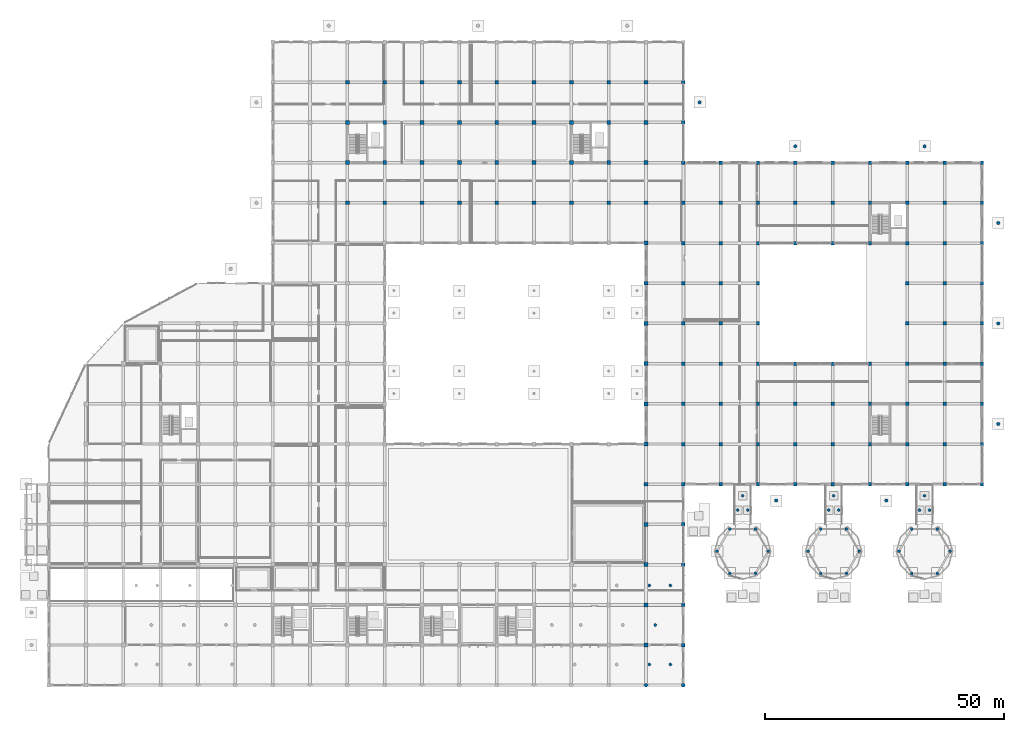
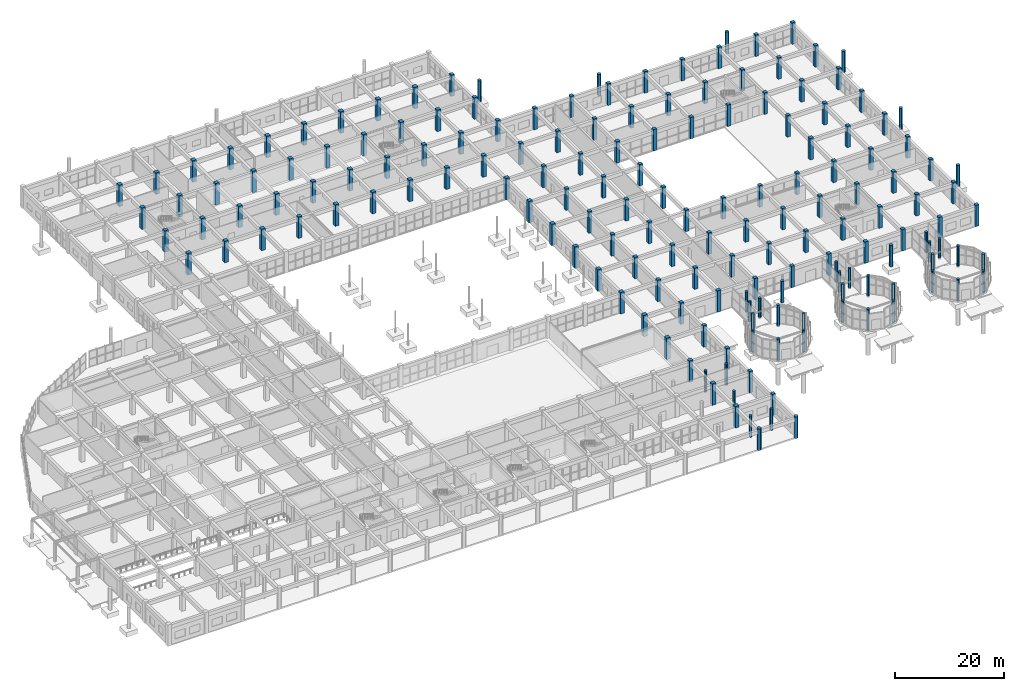
# One storey, part 9 of 139: 170 columns.
"""IFC4 building model written with IfcOpenShell, lengths in metres."""

from ifc_helpers import new_model, si_unit, direction, frame, origin, origin_2d, place, context, subcontext, project, spatial, rectangle, circle, extrude, material, material_profile, profile_set, type_object, element, save


model = new_model("IFC4")

# Units and contexts
model_context = context("Model", 3, precision=1e-05, world=origin(), true_north=direction((0.0, 1.0)))
body_context = subcontext(model_context, "Body", "Model", "MODEL_VIEW")
ifc_project = project(units=[si_unit("LENGTHUNIT", "METRE"), si_unit("AREAUNIT", "SQUARE_METRE"), si_unit("VOLUMEUNIT", "CUBIC_METRE"), si_unit("PLANEANGLEUNIT", "RADIAN"), si_unit("MASSUNIT", "GRAM", prefix="KILO")], contexts=[model_context])

# Site, building, storey
site_placement = place(None, origin())
site = spatial("IfcSite", under=ifc_project, at=site_placement, CompositionType="ELEMENT")
building_placement = place(site_placement, origin())
building = spatial("IfcBuilding", under=site, at=building_placement, Name="Zizhar Promenade General Hospital", CompositionType="ELEMENT")
storey_placement = place(building_placement, origin())
storey = spatial("IfcBuildingStorey", under=building, at=storey_placement, Name="L00", CompositionType="ELEMENT", Elevation=0.0)

# Columns
ifc_material_1 = material(Name="Concrete C40/50", Category="concrete")
ifc_material_profile_1 = material_profile(ifc_material_1, circle(Radius=0.300048828125, at=origin_2d()))
ifc_profile_set_1 = profile_set([ifc_material_profile_1], Name="Concrete C40/50")
column_type_1 = type_object("IfcColumnType", Name="COL-CIRC-600", PredefinedType="PILASTER", material=ifc_profile_set_1)
for number, where, z_axis, x_axis, name in (
    (1, (150.35009765625, 28.0, -0.300048828125), (0.0, 0.0, 1.0), (1.0, 0.0, 0.0), "PAV-1 Colonnade Column 1"),
    (2, (147.675048828125, 32.63330078125, -0.300048828125), (0.0, 0.0, 1.0), (1.0, 0.0, 0.0), "PAV-1 Colonnade Column 2"),
    (3, (142.324951171875, 32.63330078125, -0.300048828125), (0.0, 0.0, 1.0), (1.0, 0.0, 0.0), "PAV-1 Colonnade Column 3"),
    (4, (139.64990234375, 28.0, -0.300048828125), (0.0, 0.0, 1.0), (1.0, 0.0, 0.0), "PAV-1 Colonnade Column 4"),
    (5, (142.324951171875, 23.36669921875, -0.300048828125), (0.0, 0.0, 1.0), (1.0, 0.0, 0.0), "PAV-1 Colonnade Column 5"),
    (6, (147.675048828125, 23.36669921875, -0.300048828125), (0.0, 0.0, 1.0), (1.0, 0.0, 0.0), "PAV-1 Colonnade Column 6"),
):
    element("IfcColumn", number, at=place(storey_placement, frame(where, z_axis=z_axis, x_axis=x_axis)), inside=storey, type_object=column_type_1, Name=name, PredefinedType="PILASTER", context=body_context, shape_type="SweptSolid", body=[
        extrude(circle(Radius=0.300048828125, at=origin_2d()), origin(), (0.0, 0.0, 1.0), 4.840087890625),
    ])
for number, where, z_axis, x_axis, name in (
    (7, (143.949951171875, 36.60009765625, -0.300048828125), (0.0, 0.0, 1.0), (1.0, 0.0, 0.0), "PAV-1 Link Vestibule Column 1"),
    (8, (146.050048828125, 36.60009765625, -0.300048828125), (0.0, 0.0, 1.0), (1.0, 0.0, 0.0), "PAV-1 Link Vestibule Column 2"),
    (9, (145.0, 39.60009765625, -0.300048828125), (0.0, 0.0, 1.0), (1.0, 0.0, 0.0), "PAV-1 Link Vestibule Column 3"),
):
    element("IfcColumn", number, at=place(storey_placement, frame(where, z_axis=z_axis, x_axis=x_axis)), inside=storey, type_object=column_type_1, Name=name, PredefinedType="PILASTER", context=body_context, shape_type="SweptSolid", body=[
        extrude(circle(Radius=0.300048828125, at=origin_2d()), origin(), (0.0, 0.0, 1.0), 4.580078125),
    ])
for number, where, z_axis, x_axis, name in (
    (10, (169.35009765625, 28.0, -0.300048828125), (0.0, 0.0, 1.0), (1.0, 0.0, 0.0), "PAV-2 Colonnade Column 1"),
    (11, (166.675048828125, 32.63330078125, -0.300048828125), (0.0, 0.0, 1.0), (1.0, 0.0, 0.0), "PAV-2 Colonnade Column 2"),
    (12, (161.324951171875, 32.63330078125, -0.300048828125), (0.0, 0.0, 1.0), (1.0, 0.0, 0.0), "PAV-2 Colonnade Column 3"),
    (13, (158.64990234375, 28.0, -0.300048828125), (0.0, 0.0, 1.0), (1.0, 0.0, 0.0), "PAV-2 Colonnade Column 4"),
    (14, (161.324951171875, 23.36669921875, -0.300048828125), (0.0, 0.0, 1.0), (1.0, 0.0, 0.0), "PAV-2 Colonnade Column 5"),
    (15, (166.675048828125, 23.36669921875, -0.300048828125), (0.0, 0.0, 1.0), (1.0, 0.0, 0.0), "PAV-2 Colonnade Column 6"),
):
    element("IfcColumn", number, at=place(storey_placement, frame(where, z_axis=z_axis, x_axis=x_axis)), inside=storey, type_object=column_type_1, Name=name, PredefinedType="PILASTER", context=body_context, shape_type="SweptSolid", body=[
        extrude(circle(Radius=0.300048828125, at=origin_2d()), origin(), (0.0, 0.0, 1.0), 4.840087890625),
    ])
for number, where, z_axis, x_axis, name in (
    (16, (162.949951171875, 36.60009765625, -0.300048828125), (0.0, 0.0, 1.0), (1.0, 0.0, 0.0), "PAV-2 Link Vestibule Column 1"),
    (17, (165.050048828125, 36.60009765625, -0.300048828125), (0.0, 0.0, 1.0), (1.0, 0.0, 0.0), "PAV-2 Link Vestibule Column 2"),
    (18, (164.0, 39.60009765625, -0.300048828125), (0.0, 0.0, 1.0), (1.0, 0.0, 0.0), "PAV-2 Link Vestibule Column 3"),
):
    element("IfcColumn", number, at=place(storey_placement, frame(where, z_axis=z_axis, x_axis=x_axis)), inside=storey, type_object=column_type_1, Name=name, PredefinedType="PILASTER", context=body_context, shape_type="SweptSolid", body=[
        extrude(circle(Radius=0.300048828125, at=origin_2d()), origin(), (0.0, 0.0, 1.0), 4.580078125),
    ])
for number, where, z_axis, x_axis, name in (
    (19, (188.35009765625, 28.0, -0.300048828125), (0.0, 0.0, 1.0), (1.0, 0.0, 0.0), "PAV-3 Colonnade Column 1"),
    (20, (185.675048828125, 32.63330078125, -0.300048828125), (0.0, 0.0, 1.0), (1.0, 0.0, 0.0), "PAV-3 Colonnade Column 2"),
    (21, (180.324951171875, 32.63330078125, -0.300048828125), (0.0, 0.0, 1.0), (1.0, 0.0, 0.0), "PAV-3 Colonnade Column 3"),
    (22, (177.64990234375, 28.0, -0.300048828125), (0.0, 0.0, 1.0), (1.0, 0.0, 0.0), "PAV-3 Colonnade Column 4"),
    (23, (180.324951171875, 23.36669921875, -0.300048828125), (0.0, 0.0, 1.0), (1.0, 0.0, 0.0), "PAV-3 Colonnade Column 5"),
    (24, (185.675048828125, 23.36669921875, -0.300048828125), (0.0, 0.0, 1.0), (1.0, 0.0, 0.0), "PAV-3 Colonnade Column 6"),
):
    element("IfcColumn", number, at=place(storey_placement, frame(where, z_axis=z_axis, x_axis=x_axis)), inside=storey, type_object=column_type_1, Name=name, PredefinedType="PILASTER", context=body_context, shape_type="SweptSolid", body=[
        extrude(circle(Radius=0.300048828125, at=origin_2d()), origin(), (0.0, 0.0, 1.0), 4.840087890625),
    ])
for number, where, z_axis, x_axis, name in (
    (25, (181.949951171875, 36.60009765625, -0.300048828125), (0.0, 0.0, 1.0), (1.0, 0.0, 0.0), "PAV-3 Link Vestibule Column 1"),
    (26, (184.050048828125, 36.60009765625, -0.300048828125), (0.0, 0.0, 1.0), (1.0, 0.0, 0.0), "PAV-3 Link Vestibule Column 2"),
    (27, (183.0, 39.60009765625, -0.300048828125), (0.0, 0.0, 1.0), (1.0, 0.0, 0.0), "PAV-3 Link Vestibule Column 3"),
):
    element("IfcColumn", number, at=place(storey_placement, frame(where, z_axis=z_axis, x_axis=x_axis)), inside=storey, type_object=column_type_1, Name=name, PredefinedType="PILASTER", context=body_context, shape_type="SweptSolid", body=[
        extrude(circle(Radius=0.300048828125, at=origin_2d()), origin(), (0.0, 0.0, 1.0), 4.580078125),
    ])
for number, where, z_axis, x_axis, name in (
    (28, (129.89990234375, 4.35009765625, 0.0), (0.0, 0.0, 1.0), (1.0, 0.0, 0.0), "Ward Terrace Interior Support Column L06-E0 (L00)"),
    (29, (129.89990234375, 20.85009765625, 0.0), (0.0, 0.0, 1.0), (1.0, 0.0, 0.0), "Ward Terrace Interior Support Column L06-E1 (L00)"),
    (30, (126.75, 12.60009765625, 0.0), (0.0, 0.0, 1.0), (1.0, 0.0, 0.0), "Ward Terrace Interior Support Column L06-E2 (L00)"),
    (31, (125.5, 4.35009765625, 0.0), (0.0, 0.0, 1.0), (1.0, 0.0, 0.0), "Ward Terrace Interior Support Column L07-E0 (L00)"),
    (32, (125.5, 20.85009765625, 0.0), (0.0, 0.0, 1.0), (1.0, 0.0, 0.0), "Ward Terrace Interior Support Column L07-E1 (L00)"),
):
    element("IfcColumn", number, at=place(storey_placement, frame(where, z_axis=z_axis, x_axis=x_axis)), inside=storey, type_object=column_type_1, Name=name, PredefinedType="PILASTER", context=body_context, shape_type="SweptSolid", body=[
        extrude(circle(Radius=0.300048828125, at=origin_2d()), origin(), (0.0, 0.0, 1.0), 4.800048828125),
    ])
ifc_material_2 = material(Name="Concrete C40/50", Category="concrete")
ifc_material_profile_2 = material_profile(ifc_material_2, circle(Radius=0.35009765625, at=origin_2d()))
ifc_profile_set_2 = profile_set([ifc_material_profile_2], Name="Concrete C40/50")
column_type_2 = type_object("IfcColumnType", Name="COL-CIRC-700", PredefinedType="PILASTER", material=ifc_profile_set_2)
for number, where, z_axis, x_axis, name in (
    (33, (136.0, 121.800048828125, 0.0), (0.0, 0.0, 1.0), (1.0, 0.0, 0.0), "Base Roof Colonnade Column 09 (L00)"),
    (34, (156.0, 112.60009765625, 0.0), (0.0, 0.0, 1.0), (1.0, 0.0, 0.0), "Base Roof Colonnade Column 10 (L00)"),
    (35, (183.0, 112.60009765625, 0.0), (0.0, 0.0, 1.0), (1.0, 0.0, 0.0), "Base Roof Colonnade Column 11 (L00)"),
    (36, (198.39990234375, 96.60009765625, 0.0), (0.0, 0.0, 1.0), (1.0, 0.0, 0.0), "Base Roof Colonnade Column 12 (L00)"),
    (37, (198.39990234375, 75.60009765625, 0.0), (0.0, 0.0, 1.0), (1.0, 0.0, 0.0), "Base Roof Colonnade Column 13 (L00)"),
    (38, (198.39990234375, 54.60009765625, 0.0), (0.0, 0.0, 1.0), (1.0, 0.0, 0.0), "Base Roof Colonnade Column 14 (L00)"),
    (39, (175.0, 38.60009765625, 0.0), (0.0, 0.0, 1.0), (1.0, 0.0, 0.0), "Base Roof Colonnade Column 15 (L00)"),
    (40, (152.0, 38.60009765625, 0.0), (0.0, 0.0, 1.0), (1.0, 0.0, 0.0), "Base Roof Colonnade Column 16 (L00)"),
):
    element("IfcColumn", number, at=place(storey_placement, frame(where, z_axis=z_axis, x_axis=x_axis)), inside=storey, type_object=column_type_2, Name=name, PredefinedType="PILASTER", context=body_context, shape_type="SweptSolid", body=[
        extrude(circle(Radius=0.35009765625, at=origin_2d()), origin(), (0.0, 0.0, 1.0), 4.800048828125),
    ])
ifc_material_3 = material(Name="Concrete C40/50", Category="concrete")
ifc_material_profile_3 = material_profile(ifc_material_3, circle(Radius=0.39990234375, at=origin_2d()))
ifc_profile_set_3 = profile_set([ifc_material_profile_3], Name="Concrete C40/50")
column_type_3 = type_object("IfcColumnType", Name="COL-CIRC-800", PredefinedType="PILASTER", material=ifc_profile_set_3)
for number, where, z_axis, x_axis, name in (
    (41, (124.800048828125, 0.0, 0.0), (0.0, 0.0, 1.0), (1.0, 0.0, 0.0), "Column 17-A (L00)"),
    (42, (132.60009765625, 0.0, 0.0), (0.0, 0.0, 1.0), (1.0, 0.0, 0.0), "Column 18-A (L00)"),
):
    element("IfcColumn", number, at=place(storey_placement, frame(where, z_axis=z_axis, x_axis=x_axis)), inside=storey, type_object=column_type_3, Name=name, PredefinedType="PILASTER", context=body_context, shape_type="SweptSolid", body=[
        extrude(circle(Radius=0.39990234375, at=origin_2d()), origin(), (0.0, 0.0, 1.0), 4.800048828125),
    ])
ifc_material_4 = material(Name="Concrete C40/50", Category="concrete")
ifc_material_profile_4 = material_profile(ifc_material_4, rectangle(XDim=0.719970703125, YDim=0.719970703125, at=origin_2d()))
ifc_profile_set_4 = profile_set([ifc_material_profile_4], Name="Concrete C40/50")
column_type_4 = type_object("IfcColumnType", Name="COL-RC-720", PredefinedType="COLUMN", material=ifc_profile_set_4)
for number, where, z_axis, x_axis, name in (
    (43, (132.60009765625, 8.39990234375, 0.0), (0.0, 0.0, 1.0), (1.0, 0.0, 0.0), "Column 18-B (L00)"),
    (44, (132.60009765625, 16.800048828125, 0.0), (0.0, 0.0, 1.0), (1.0, 0.0, 0.0), "Column 18-C (L00)"),
    (45, (132.60009765625, 25.199951171875, 0.0), (0.0, 0.0, 1.0), (1.0, 0.0, 0.0), "Column 18-D (L00)"),
    (46, (132.60009765625, 33.60009765625, 0.0), (0.0, 0.0, 1.0), (1.0, 0.0, 0.0), "Column 18-E (L00)"),
    (47, (132.60009765625, 42.0, 0.0), (0.0, 0.0, 1.0), (1.0, 0.0, 0.0), "Column 18-F (L00)"),
    (48, (132.60009765625, 50.39990234375, 0.0), (0.0, 0.0, 1.0), (1.0, 0.0, 0.0), "Column 18-G (L00)"),
    (49, (132.60009765625, 58.800048828125, 0.0), (0.0, 0.0, 1.0), (1.0, 0.0, 0.0), "Column 18-H (L00)"),
    (50, (132.60009765625, 67.199951171875, 0.0), (0.0, 0.0, 1.0), (1.0, 0.0, 0.0), "Column 18-J (L00)"),
    (51, (132.60009765625, 75.60009765625, 0.0), (0.0, 0.0, 1.0), (1.0, 0.0, 0.0), "Column 18-K (L00)"),
    (52, (132.60009765625, 84.0, 0.0), (0.0, 0.0, 1.0), (1.0, 0.0, 0.0), "Column 18-L (L00)"),
    (53, (132.60009765625, 92.39990234375, 0.0), (0.0, 0.0, 1.0), (1.0, 0.0, 0.0), "Column 18-M (L00)"),
    (54, (132.60009765625, 100.800048828125, 0.0), (0.0, 0.0, 1.0), (1.0, 0.0, 0.0), "Column 18-N (L00)"),
    (55, (132.60009765625, 109.199951171875, 0.0), (0.0, 0.0, 1.0), (1.0, 0.0, 0.0), "Column 18-P (L00)"),
    (56, (132.60009765625, 117.60009765625, 0.0), (0.0, 0.0, 1.0), (1.0, 0.0, 0.0), "Column 18-Q (L00)"),
    (57, (132.60009765625, 126.0, 0.0), (0.0, 0.0, 1.0), (1.0, 0.0, 0.0), "Column 18-R (L00)"),
    (58, (140.39990234375, 42.0, 0.0), (0.0, 0.0, 1.0), (1.0, 0.0, 0.0), "Column 19-F (L00)"),
    (59, (140.39990234375, 50.39990234375, 0.0), (0.0, 0.0, 1.0), (1.0, 0.0, 0.0), "Column 19-G (L00)"),
    (60, (140.39990234375, 58.800048828125, 0.0), (0.0, 0.0, 1.0), (1.0, 0.0, 0.0), "Column 19-H (L00)"),
    (61, (140.39990234375, 67.199951171875, 0.0), (0.0, 0.0, 1.0), (1.0, 0.0, 0.0), "Column 19-J (L00)"),
    (62, (140.39990234375, 75.60009765625, 0.0), (0.0, 0.0, 1.0), (1.0, 0.0, 0.0), "Column 19-K (L00)"),
    (63, (140.39990234375, 84.0, 0.0), (0.0, 0.0, 1.0), (1.0, 0.0, 0.0), "Column 19-L (L00)"),
    (64, (140.39990234375, 92.39990234375, 0.0), (0.0, 0.0, 1.0), (1.0, 0.0, 0.0), "Column 19-M (L00)"),
    (65, (140.39990234375, 100.800048828125, 0.0), (0.0, 0.0, 1.0), (1.0, 0.0, 0.0), "Column 19-N (L00)"),
    (66, (140.39990234375, 109.199951171875, 0.0), (0.0, 0.0, 1.0), (1.0, 0.0, 0.0), "Column 19-P (L00)"),
    (67, (148.199951171875, 42.0, 0.0), (0.0, 0.0, 1.0), (1.0, 0.0, 0.0), "Column 20-F (L00)"),
    (68, (148.199951171875, 50.39990234375, 0.0), (0.0, 0.0, 1.0), (1.0, 0.0, 0.0), "Column 20-G (L00)"),
    (69, (148.199951171875, 58.800048828125, 0.0), (0.0, 0.0, 1.0), (1.0, 0.0, 0.0), "Column 20-H (L00)"),
    (70, (148.199951171875, 67.199951171875, 0.0), (0.0, 0.0, 1.0), (1.0, 0.0, 0.0), "Column 20-J (L00)"),
    (71, (148.199951171875, 75.60009765625, 0.0), (0.0, 0.0, 1.0), (1.0, 0.0, 0.0), "Column 20-K (L00)"),
    (72, (148.199951171875, 84.0, 0.0), (0.0, 0.0, 1.0), (1.0, 0.0, 0.0), "Column 20-L (L00)"),
    (73, (148.199951171875, 92.39990234375, 0.0), (0.0, 0.0, 1.0), (1.0, 0.0, 0.0), "Column 20-M (L00)"),
    (74, (148.199951171875, 100.800048828125, 0.0), (0.0, 0.0, 1.0), (1.0, 0.0, 0.0), "Column 20-N (L00)"),
    (75, (148.199951171875, 109.199951171875, 0.0), (0.0, 0.0, 1.0), (1.0, 0.0, 0.0), "Column 20-P (L00)"),
    (76, (156.0, 42.0, 0.0), (0.0, 0.0, 1.0), (1.0, 0.0, 0.0), "Column 21-F (L00)"),
    (77, (156.0, 50.39990234375, 0.0), (0.0, 0.0, 1.0), (1.0, 0.0, 0.0), "Column 21-G (L00)"),
    (78, (156.0, 58.800048828125, 0.0), (0.0, 0.0, 1.0), (1.0, 0.0, 0.0), "Column 21-H (L00)"),
    (79, (156.0, 67.199951171875, 0.0), (0.0, 0.0, 1.0), (1.0, 0.0, 0.0), "Column 21-J (L00)"),
    (80, (156.0, 92.39990234375, 0.0), (0.0, 0.0, 1.0), (1.0, 0.0, 0.0), "Column 21-M (L00)"),
    (81, (156.0, 100.800048828125, 0.0), (0.0, 0.0, 1.0), (1.0, 0.0, 0.0), "Column 21-N (L00)"),
    (82, (156.0, 109.199951171875, 0.0), (0.0, 0.0, 1.0), (1.0, 0.0, 0.0), "Column 21-P (L00)"),
    (83, (163.800048828125, 42.0, 0.0), (0.0, 0.0, 1.0), (1.0, 0.0, 0.0), "Column 22-F (L00)"),
    (84, (163.800048828125, 50.39990234375, 0.0), (0.0, 0.0, 1.0), (1.0, 0.0, 0.0), "Column 22-G (L00)"),
    (85, (163.800048828125, 58.800048828125, 0.0), (0.0, 0.0, 1.0), (1.0, 0.0, 0.0), "Column 22-H (L00)"),
    (86, (163.800048828125, 67.199951171875, 0.0), (0.0, 0.0, 1.0), (1.0, 0.0, 0.0), "Column 22-J (L00)"),
    (87, (163.800048828125, 92.39990234375, 0.0), (0.0, 0.0, 1.0), (1.0, 0.0, 0.0), "Column 22-M (L00)"),
    (88, (163.800048828125, 100.800048828125, 0.0), (0.0, 0.0, 1.0), (1.0, 0.0, 0.0), "Column 22-N (L00)"),
    (89, (163.800048828125, 109.199951171875, 0.0), (0.0, 0.0, 1.0), (1.0, 0.0, 0.0), "Column 22-P (L00)"),
    (90, (171.60009765625, 42.0, 0.0), (0.0, 0.0, 1.0), (1.0, 0.0, 0.0), "Column 23-F (L00)"),
    (91, (171.60009765625, 50.39990234375, 0.0), (0.0, 0.0, 1.0), (1.0, 0.0, 0.0), "Column 23-G (L00)"),
    (92, (171.60009765625, 58.800048828125, 0.0), (0.0, 0.0, 1.0), (1.0, 0.0, 0.0), "Column 23-H (L00)"),
    (93, (171.60009765625, 67.199951171875, 0.0), (0.0, 0.0, 1.0), (1.0, 0.0, 0.0), "Column 23-J (L00)"),
    (94, (171.60009765625, 92.39990234375, 0.0), (0.0, 0.0, 1.0), (1.0, 0.0, 0.0), "Column 23-M (L00)"),
    (95, (171.60009765625, 100.800048828125, 0.0), (0.0, 0.0, 1.0), (1.0, 0.0, 0.0), "Column 23-N (L00)"),
    (96, (171.60009765625, 109.199951171875, 0.0), (0.0, 0.0, 1.0), (1.0, 0.0, 0.0), "Column 23-P (L00)"),
    (97, (179.39990234375, 42.0, 0.0), (0.0, 0.0, 1.0), (1.0, 0.0, 0.0), "Column 24-F (L00)"),
    (98, (179.39990234375, 50.39990234375, 0.0), (0.0, 0.0, 1.0), (1.0, 0.0, 0.0), "Column 24-G (L00)"),
    (99, (179.39990234375, 58.800048828125, 0.0), (0.0, 0.0, 1.0), (1.0, 0.0, 0.0), "Column 24-H (L00)"),
    (100, (179.39990234375, 67.199951171875, 0.0), (0.0, 0.0, 1.0), (1.0, 0.0, 0.0), "Column 24-J (L00)"),
    (101, (179.39990234375, 75.60009765625, 0.0), (0.0, 0.0, 1.0), (1.0, 0.0, 0.0), "Column 24-K (L00)"),
    (102, (179.39990234375, 84.0, 0.0), (0.0, 0.0, 1.0), (1.0, 0.0, 0.0), "Column 24-L (L00)"),
    (103, (179.39990234375, 92.39990234375, 0.0), (0.0, 0.0, 1.0), (1.0, 0.0, 0.0), "Column 24-M (L00)"),
    (104, (179.39990234375, 100.800048828125, 0.0), (0.0, 0.0, 1.0), (1.0, 0.0, 0.0), "Column 24-N (L00)"),
    (105, (179.39990234375, 109.199951171875, 0.0), (0.0, 0.0, 1.0), (1.0, 0.0, 0.0), "Column 24-P (L00)"),
    (106, (187.199951171875, 42.0, 0.0), (0.0, 0.0, 1.0), (1.0, 0.0, 0.0), "Column 25-F (L00)"),
    (107, (187.199951171875, 50.39990234375, 0.0), (0.0, 0.0, 1.0), (1.0, 0.0, 0.0), "Column 25-G (L00)"),
    (108, (187.199951171875, 58.800048828125, 0.0), (0.0, 0.0, 1.0), (1.0, 0.0, 0.0), "Column 25-H (L00)"),
    (109, (187.199951171875, 67.199951171875, 0.0), (0.0, 0.0, 1.0), (1.0, 0.0, 0.0), "Column 25-J (L00)"),
    (110, (187.199951171875, 75.60009765625, 0.0), (0.0, 0.0, 1.0), (1.0, 0.0, 0.0), "Column 25-K (L00)"),
    (111, (187.199951171875, 84.0, 0.0), (0.0, 0.0, 1.0), (1.0, 0.0, 0.0), "Column 25-L (L00)"),
    (112, (187.199951171875, 92.39990234375, 0.0), (0.0, 0.0, 1.0), (1.0, 0.0, 0.0), "Column 25-M (L00)"),
    (113, (187.199951171875, 100.800048828125, 0.0), (0.0, 0.0, 1.0), (1.0, 0.0, 0.0), "Column 25-N (L00)"),
    (114, (187.199951171875, 109.199951171875, 0.0), (0.0, 0.0, 1.0), (1.0, 0.0, 0.0), "Column 25-P (L00)"),
    (115, (195.0, 42.0, 0.0), (0.0, 0.0, 1.0), (1.0, 0.0, 0.0), "Column 26-F (L00)"),
    (116, (195.0, 50.39990234375, 0.0), (0.0, 0.0, 1.0), (1.0, 0.0, 0.0), "Column 26-G (L00)"),
    (117, (195.0, 58.800048828125, 0.0), (0.0, 0.0, 1.0), (1.0, 0.0, 0.0), "Column 26-H (L00)"),
    (118, (195.0, 67.199951171875, 0.0), (0.0, 0.0, 1.0), (1.0, 0.0, 0.0), "Column 26-J (L00)"),
    (119, (195.0, 75.60009765625, 0.0), (0.0, 0.0, 1.0), (1.0, 0.0, 0.0), "Column 26-K (L00)"),
    (120, (195.0, 84.0, 0.0), (0.0, 0.0, 1.0), (1.0, 0.0, 0.0), "Column 26-L (L00)"),
    (121, (195.0, 92.39990234375, 0.0), (0.0, 0.0, 1.0), (1.0, 0.0, 0.0), "Column 26-M (L00)"),
    (122, (195.0, 100.800048828125, 0.0), (0.0, 0.0, 1.0), (1.0, 0.0, 0.0), "Column 26-N (L00)"),
    (123, (195.0, 109.199951171875, 0.0), (0.0, 0.0, 1.0), (1.0, 0.0, 0.0), "Column 26-P (L00)"),
):
    element("IfcColumn", number, at=place(storey_placement, frame(where, z_axis=z_axis, x_axis=x_axis)), inside=storey, type_object=column_type_4, Name=name, PredefinedType="COLUMN", context=body_context, shape_type="SweptSolid", body=[
        extrude(rectangle(XDim=0.719970703125, YDim=0.719970703125, at=origin_2d()), origin(), (0.0, 0.0, 1.0), 4.800048828125),
    ])
ifc_material_5 = material(Name="Concrete C40/50", Category="concrete")
ifc_material_profile_5 = material_profile(ifc_material_5, rectangle(XDim=0.800048828125, YDim=0.800048828125, at=origin_2d()))
ifc_profile_set_5 = profile_set([ifc_material_profile_5], Name="Concrete C40/50")
column_type_5 = type_object("IfcColumnType", Name="COL-RC-800", PredefinedType="COLUMN", material=ifc_profile_set_5)
for number, where, z_axis, x_axis, name in (
    (124, (62.39990234375, 100.800048828125, 0.0), (0.0, 0.0, 1.0), (1.0, 0.0, 0.0), "Column 9-N (L00)"),
    (125, (62.39990234375, 109.199951171875, 0.0), (0.0, 0.0, 1.0), (1.0, 0.0, 0.0), "Column 9-P (L00)"),
    (126, (62.39990234375, 117.60009765625, 0.0), (0.0, 0.0, 1.0), (1.0, 0.0, 0.0), "Column 9-Q (L00)"),
    (127, (62.39990234375, 126.0, 0.0), (0.0, 0.0, 1.0), (1.0, 0.0, 0.0), "Column 9-R (L00)"),
    (128, (70.199951171875, 100.800048828125, 0.0), (0.0, 0.0, 1.0), (1.0, 0.0, 0.0), "Column 10-N (L00)"),
    (129, (70.199951171875, 109.199951171875, 0.0), (0.0, 0.0, 1.0), (1.0, 0.0, 0.0), "Column 10-P (L00)"),
    (130, (70.199951171875, 117.60009765625, 0.0), (0.0, 0.0, 1.0), (1.0, 0.0, 0.0), "Column 10-Q (L00)"),
    (131, (70.199951171875, 126.0, 0.0), (0.0, 0.0, 1.0), (1.0, 0.0, 0.0), "Column 10-R (L00)"),
    (132, (78.0, 100.800048828125, 0.0), (0.0, 0.0, 1.0), (1.0, 0.0, 0.0), "Column 11-N (L00)"),
    (133, (78.0, 109.199951171875, 0.0), (0.0, 0.0, 1.0), (1.0, 0.0, 0.0), "Column 11-P (L00)"),
    (134, (78.0, 117.60009765625, 0.0), (0.0, 0.0, 1.0), (1.0, 0.0, 0.0), "Column 11-Q (L00)"),
    (135, (78.0, 126.0, 0.0), (0.0, 0.0, 1.0), (1.0, 0.0, 0.0), "Column 11-R (L00)"),
    (136, (85.800048828125, 100.800048828125, 0.0), (0.0, 0.0, 1.0), (1.0, 0.0, 0.0), "Column 12-N (L00)"),
    (137, (85.800048828125, 109.199951171875, 0.0), (0.0, 0.0, 1.0), (1.0, 0.0, 0.0), "Column 12-P (L00)"),
    (138, (85.800048828125, 117.60009765625, 0.0), (0.0, 0.0, 1.0), (1.0, 0.0, 0.0), "Column 12-Q (L00)"),
    (139, (85.800048828125, 126.0, 0.0), (0.0, 0.0, 1.0), (1.0, 0.0, 0.0), "Column 12-R (L00)"),
    (140, (93.60009765625, 100.800048828125, 0.0), (0.0, 0.0, 1.0), (1.0, 0.0, 0.0), "Column 13-N (L00)"),
    (141, (93.60009765625, 109.199951171875, 0.0), (0.0, 0.0, 1.0), (1.0, 0.0, 0.0), "Column 13-P (L00)"),
    (142, (93.60009765625, 117.60009765625, 0.0), (0.0, 0.0, 1.0), (1.0, 0.0, 0.0), "Column 13-Q (L00)"),
    (143, (93.60009765625, 126.0, 0.0), (0.0, 0.0, 1.0), (1.0, 0.0, 0.0), "Column 13-R (L00)"),
    (144, (101.39990234375, 100.800048828125, 0.0), (0.0, 0.0, 1.0), (1.0, 0.0, 0.0), "Column 14-N (L00)"),
    (145, (101.39990234375, 109.199951171875, 0.0), (0.0, 0.0, 1.0), (1.0, 0.0, 0.0), "Column 14-P (L00)"),
    (146, (101.39990234375, 117.60009765625, 0.0), (0.0, 0.0, 1.0), (1.0, 0.0, 0.0), "Column 14-Q (L00)"),
    (147, (101.39990234375, 126.0, 0.0), (0.0, 0.0, 1.0), (1.0, 0.0, 0.0), "Column 14-R (L00)"),
    (148, (109.199951171875, 100.800048828125, 0.0), (0.0, 0.0, 1.0), (1.0, 0.0, 0.0), "Column 15-N (L00)"),
    (149, (109.199951171875, 109.199951171875, 0.0), (0.0, 0.0, 1.0), (1.0, 0.0, 0.0), "Column 15-P (L00)"),
    (150, (109.199951171875, 117.60009765625, 0.0), (0.0, 0.0, 1.0), (1.0, 0.0, 0.0), "Column 15-Q (L00)"),
    (151, (109.199951171875, 126.0, 0.0), (0.0, 0.0, 1.0), (1.0, 0.0, 0.0), "Column 15-R (L00)"),
    (152, (117.0, 100.800048828125, 0.0), (0.0, 0.0, 1.0), (1.0, 0.0, 0.0), "Column 16-N (L00)"),
    (153, (117.0, 109.199951171875, 0.0), (0.0, 0.0, 1.0), (1.0, 0.0, 0.0), "Column 16-P (L00)"),
    (154, (117.0, 117.60009765625, 0.0), (0.0, 0.0, 1.0), (1.0, 0.0, 0.0), "Column 16-Q (L00)"),
    (155, (117.0, 126.0, 0.0), (0.0, 0.0, 1.0), (1.0, 0.0, 0.0), "Column 16-R (L00)"),
    (156, (124.800048828125, 8.39990234375, 0.0), (0.0, 0.0, 1.0), (1.0, 0.0, 0.0), "Column 17-B (L00)"),
    (157, (124.800048828125, 16.800048828125, 0.0), (0.0, 0.0, 1.0), (1.0, 0.0, 0.0), "Column 17-C (L00)"),
    (158, (124.800048828125, 25.199951171875, 0.0), (0.0, 0.0, 1.0), (1.0, 0.0, 0.0), "Column 17-D (L00)"),
    (159, (124.800048828125, 33.60009765625, 0.0), (0.0, 0.0, 1.0), (1.0, 0.0, 0.0), "Column 17-E (L00)"),
    (160, (124.800048828125, 42.0, 0.0), (0.0, 0.0, 1.0), (1.0, 0.0, 0.0), "Column 17-F (L00)"),
    (161, (124.800048828125, 50.39990234375, 0.0), (0.0, 0.0, 1.0), (1.0, 0.0, 0.0), "Column 17-G (L00)"),
    (162, (124.800048828125, 58.800048828125, 0.0), (0.0, 0.0, 1.0), (1.0, 0.0, 0.0), "Column 17-H (L00)"),
    (163, (124.800048828125, 67.199951171875, 0.0), (0.0, 0.0, 1.0), (1.0, 0.0, 0.0), "Column 17-J (L00)"),
    (164, (124.800048828125, 75.60009765625, 0.0), (0.0, 0.0, 1.0), (1.0, 0.0, 0.0), "Column 17-K (L00)"),
    (165, (124.800048828125, 84.0, 0.0), (0.0, 0.0, 1.0), (1.0, 0.0, 0.0), "Column 17-L (L00)"),
    (166, (124.800048828125, 92.39990234375, 0.0), (0.0, 0.0, 1.0), (1.0, 0.0, 0.0), "Column 17-M (L00)"),
    (167, (124.800048828125, 100.800048828125, 0.0), (0.0, 0.0, 1.0), (1.0, 0.0, 0.0), "Column 17-N (L00)"),
    (168, (124.800048828125, 109.199951171875, 0.0), (0.0, 0.0, 1.0), (1.0, 0.0, 0.0), "Column 17-P (L00)"),
    (169, (124.800048828125, 117.60009765625, 0.0), (0.0, 0.0, 1.0), (1.0, 0.0, 0.0), "Column 17-Q (L00)"),
    (170, (124.800048828125, 126.0, 0.0), (0.0, 0.0, 1.0), (1.0, 0.0, 0.0), "Column 17-R (L00)"),
):
    element("IfcColumn", number, at=place(storey_placement, frame(where, z_axis=z_axis, x_axis=x_axis)), inside=storey, type_object=column_type_5, Name=name, PredefinedType="COLUMN", context=body_context, shape_type="SweptSolid", body=[
        extrude(rectangle(XDim=0.800048828125, YDim=0.800048828125, at=origin_2d()), origin(), (0.0, 0.0, 1.0), 4.800048828125),
    ])

save(model, "model.ifc")
